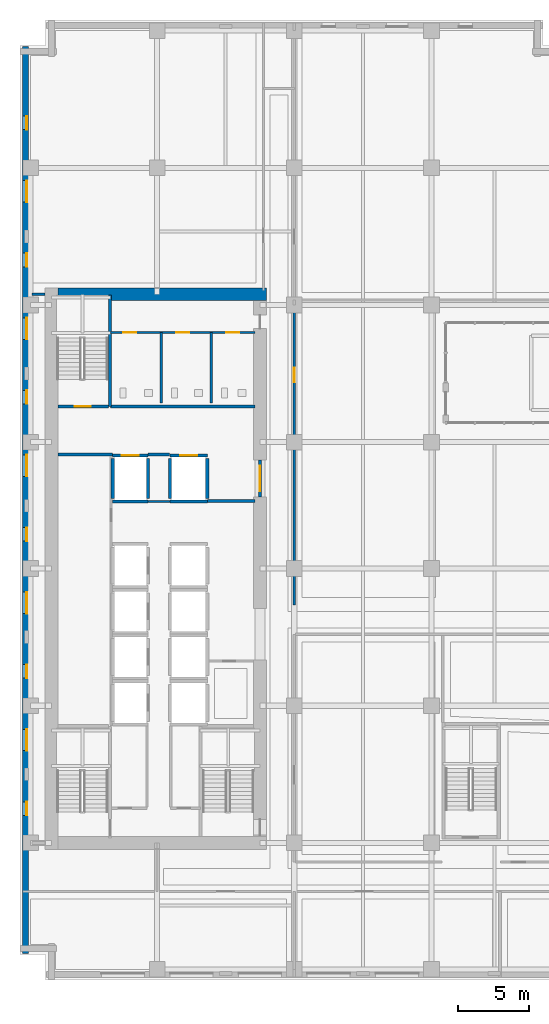
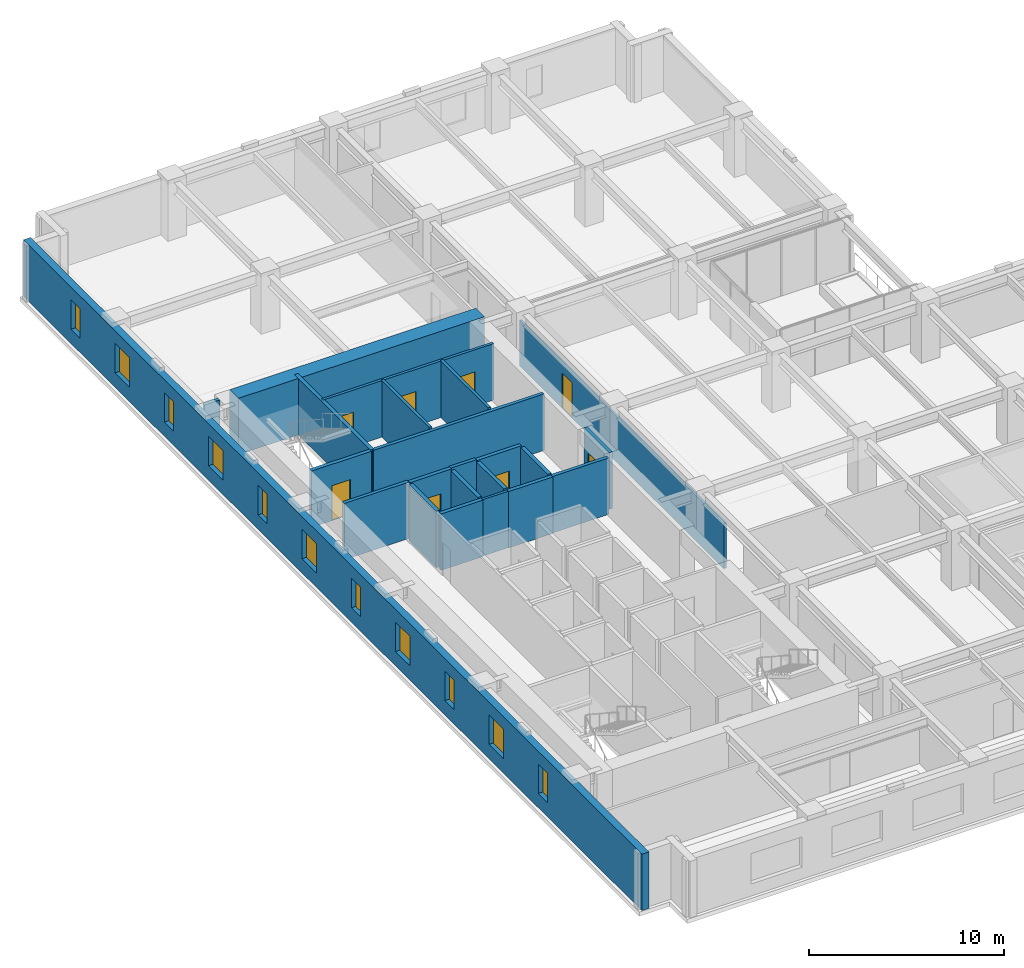
# One storey, part 6 of 16: 23 walls, 11 windows, 8 doors, 19 openings.
"""IFC4 building model written with IfcOpenShell, lengths in metres."""

import ifcopenshell
import ifcopenshell.guid

model = None  # the IFC model being written
_history = None  # IfcOwnerHistory: only IFC2X3 demands one
_inside = {}  # id of a spatial element -> (the spatial element, [elements in it])
_under = {}  # id of a project, library or spatial element -> (it, [spatial elements below it])
_declared = {}  # id of a project -> (the project, [libraries it declares])
_typed = {}  # id of a type object -> (the type object, [elements of that type])
_made_of = {}  # id of a material, layer set ... -> (it, [elements and type objects made of it])


def new_model(schema):
    """Start an empty IFC model of exactly this schema.

    Asked for "IFC4X3", IfcOpenShell would pick the latest addendum, in which some entities
    have other attributes; the version numbers below select the first issue.
    IFC2X3 requires an IfcOwnerHistory on every rooted entity: one is made here for all.
    """
    global model, _history
    if schema == "IFC4X3":
        model = ifcopenshell.file(schema_version=(4, 3, 0, 0))
    else:
        model = ifcopenshell.file(schema=schema)
    _inside.clear()
    _under.clear()
    _declared.clear()
    _typed.clear()
    _made_of.clear()
    _history = None
    if model.schema == "IFC2X3":
        org = make("IfcOrganization", Name="unknown")
        user = make(
            "IfcPersonAndOrganization",
            ThePerson=make("IfcPerson", FamilyName="unknown"),
            TheOrganization=org,
        )
        app = make(
            "IfcApplication",
            ApplicationDeveloper=org,
            Version="unknown",
            ApplicationFullName="unknown",
            ApplicationIdentifier="unknown",
        )
        _history = make(
            "IfcOwnerHistory",
            OwningUser=user,
            OwningApplication=app,
            ChangeAction="ADDED",
            CreationDate=0,
        )
    return model


def make(cls, **values):
    """One entity of the class cls with the attributes given. An attribute that is None is left unset."""
    return model.create_entity(
        cls, **{name: value for name, value in values.items() if value is not None}
    )


def rooted(cls, **values):
    """An entity with a GlobalId (a new one), such as an element, a storey or a relation."""
    return make(cls, GlobalId=ifcopenshell.guid.new(), OwnerHistory=_history, **values)


def si_unit(unit_type, name, prefix=None):
    """IfcSIUnit, for example si_unit("LENGTHUNIT", "METRE", prefix="MILLI")."""
    return make("IfcSIUnit", UnitType=unit_type, Prefix=prefix, Name=name)


def assignment(units):
    """IfcUnitAssignment: the units of a project."""
    return None if units is None else make("IfcUnitAssignment", Units=units)


def point(xyz):
    """IfcCartesianPoint."""
    return None if xyz is None else make("IfcCartesianPoint", Coordinates=xyz)


def direction(xyz):
    """IfcDirection."""
    return None if xyz is None else make("IfcDirection", DirectionRatios=xyz)


def frame(location, z_axis=None, x_axis=None):
    """IfcAxis2Placement3D, a coordinate frame: its origin and axes. An axis left out is left unset."""
    return make(
        "IfcAxis2Placement3D",
        Location=point(location),
        Axis=direction(z_axis),
        RefDirection=direction(x_axis),
    )


def frame_2d(location, x_axis=None):
    """IfcAxis2Placement2D, a coordinate frame in the plane: its origin and x axis."""
    return make(
        "IfcAxis2Placement2D", Location=point(location), RefDirection=direction(x_axis)
    )


def origin():
    """The frame at (0, 0, 0) with its axes left unset."""
    return frame((0.0, 0.0, 0.0))


def place(relative_to, where):
    """IfcLocalPlacement: puts the frame where relative to a parent placement (None: the world)."""
    return make(
        "IfcLocalPlacement", PlacementRelTo=relative_to, RelativePlacement=where
    )


def context(
    kind, dimensions, precision=None, world=None, true_north=None, identifier=None
):
    """IfcGeometricRepresentationContext, for example the 3D "Model" context."""
    return make(
        "IfcGeometricRepresentationContext",
        ContextIdentifier=identifier,
        ContextType=kind,
        CoordinateSpaceDimension=dimensions,
        Precision=precision,
        WorldCoordinateSystem=world,
        TrueNorth=true_north,
    )


def subcontext(parent, identifier, kind, view, scale=None):
    """IfcGeometricRepresentationSubContext, for example "Body" below "Model"."""
    return make(
        "IfcGeometricRepresentationSubContext",
        ContextIdentifier=identifier,
        ContextType=kind,
        ParentContext=parent,
        TargetScale=scale,
        TargetView=view,
    )


def project(units=None, contexts=None):
    """IfcProject with its units and contexts."""
    return rooted(
        "IfcProject",
        Name="project",
        RepresentationContexts=contexts,
        UnitsInContext=assignment(units),
    )


def spatial(cls, under=None, at=None, **own):
    """A site, building, storey or space (cls), placed at a placement, below another one or the project."""
    s = rooted(cls, ObjectPlacement=at, **own)
    if under is not None:
        _under.setdefault(under.id(), (under, []))[1].append(s)
    return s


def profile(cls, at=None, kind="AREA", **sizes):
    """A parametric profile (cls). Its sizes go by their IFC names, for example OverallWidth=200.0."""
    return make(cls, ProfileType=kind, Position=at, **sizes)


def rectangle(**sizes):
    """IfcRectangleProfileDef."""
    return profile("IfcRectangleProfileDef", **sizes)


def extrude(swept, where, along, depth):
    """IfcExtrudedAreaSolid: the profile swept, set in the frame where, extruded along a direction by depth."""
    return make(
        "IfcExtrudedAreaSolid",
        SweptArea=swept,
        Position=where,
        ExtrudedDirection=direction(along),
        Depth=depth,
    )


def shape(context_of_items, identifier, shape_type, items):
    """IfcShapeRepresentation: the items that make up one representation, for example the "Body"."""
    return make(
        "IfcShapeRepresentation",
        ContextOfItems=context_of_items,
        RepresentationIdentifier=identifier,
        RepresentationType=shape_type,
        Items=items,
    )


def material(Name=None, Category=None):
    """IfcMaterial."""
    return make("IfcMaterial", Name=Name, Category=Category)


def layer(
    of_material, thickness, ventilated=None, Name=None, Category=None, Priority=None
):
    """IfcMaterialLayer: one layer of a wall or slab, of a material (None: an air gap)."""
    return make(
        "IfcMaterialLayer",
        Material=of_material,
        LayerThickness=thickness,
        IsVentilated=ventilated,
        Name=Name,
        Category=Category,
        Priority=Priority,
    )


def layer_set(layers, Name=None):
    """IfcMaterialLayerSet."""
    return make("IfcMaterialLayerSet", MaterialLayers=layers, LayerSetName=Name)


def made_of(thing, what):
    """Note that an element or type object is made of a material, layer set ...; save() writes the relation."""
    if what is not None:
        _made_of.setdefault(what.id(), (what, []))[1].append(thing)
    return thing


def type_object(cls, material=None, **own):
    """A type object (cls), such as IfcWallType, which elements share."""
    return made_of(rooted(cls, **own), material)


def element(
    cls,
    number,
    at=None,
    inside=None,
    cuts=None,
    type_object=None,
    material=None,
    context=None,
    identifier="Body",
    shape_type=None,
    held_by="IfcProductDefinitionShape",
    body=None,
    shapes=None,
    **own,
):
    """One element of the class cls, such as IfcWall. Its Tag is "e" and its number.

    at: its placement. inside: the storey or other place that contains it. cuts: it is an
    opening in that element (IfcRelVoidsElement). A single representation is given by context,
    identifier, shape_type and body (its items); several are given by shapes. held_by: the class
    of the entity that holds the representations. save() writes the other relations.
    """
    e = rooted(cls, Tag="e%d" % number, ObjectPlacement=at, **own)
    if body is not None:
        shapes = [shape(context, identifier, shape_type, body)]
    if shapes is not None:
        e.Representation = make(held_by, Representations=shapes)
    if inside is not None:
        _inside.setdefault(inside.id(), (inside, []))[1].append(e)
    if cuts is not None:
        rooted(
            "IfcRelVoidsElement", RelatingBuildingElement=cuts, RelatedOpeningElement=e
        )
    if type_object is not None:
        _typed.setdefault(type_object.id(), (type_object, []))[1].append(e)
    return made_of(e, material)


def fill(opening, filler):
    """IfcRelFillsElement: the door or window that sits in an opening."""
    return rooted(
        "IfcRelFillsElement",
        RelatingOpeningElement=opening,
        RelatedBuildingElement=filler,
    )


def aggregate(whole, parts):
    """IfcRelAggregates: a whole, such as a stair, and the parts it consists of."""
    return rooted("IfcRelAggregates", RelatingObject=whole, RelatedObjects=parts)


def save(model, path):
    """Write the relations noted so far, then the file.

    IfcRelAggregates (storeys below a building ...), IfcRelContainedInSpatialStructure (elements
    in a storey), IfcRelDefinesByType, IfcRelAssociatesMaterial and IfcRelDeclares: one each for
    every whole, place, type object, material and project.
    """
    for whole, parts in _under.values():
        aggregate(whole, parts)
    for where, things in _inside.values():
        rooted(
            "IfcRelContainedInSpatialStructure",
            RelatedElements=things,
            RelatingStructure=where,
        )
    for kind, things in _typed.values():
        rooted("IfcRelDefinesByType", RelatedObjects=things, RelatingType=kind)
    for what, things in _made_of.values():
        rooted("IfcRelAssociatesMaterial", RelatedObjects=things, RelatingMaterial=what)
    for by, libraries in _declared.values():
        rooted("IfcRelDeclares", RelatingContext=by, RelatedDefinitions=libraries)
    model.write(path)


model = new_model("IFC4")

# Units and contexts
model_context = context("Model", 3, precision=1e-05, world=origin(), true_north=direction((0.0, 1.0)))
body_context = subcontext(model_context, "Body", "Model", "MODEL_VIEW")
ifc_project = project(units=[si_unit("LENGTHUNIT", "METRE"), si_unit("AREAUNIT", "SQUARE_METRE"), si_unit("VOLUMEUNIT", "CUBIC_METRE"), si_unit("PLANEANGLEUNIT", "RADIAN"), si_unit("MASSUNIT", "GRAM", prefix="KILO")], contexts=[model_context])

# Site, building, storey
site_placement = place(None, origin())
site = spatial("IfcSite", under=ifc_project, at=site_placement, CompositionType="ELEMENT")
building_placement = place(site_placement, origin())
building = spatial("IfcBuilding", under=site, at=building_placement, Name="Norrvale University Quadrangle", CompositionType="ELEMENT")
storey_placement = place(building_placement, frame((0.0, 0.0, 58.39990234375)))
storey = spatial("IfcBuildingStorey", under=building, at=storey_placement, Name="L14", CompositionType="ELEMENT", Elevation=58.39990234375)

# Wall, openings, windows
ifc_material_1 = material(Name="Buff Norman Clay Brick Masonry", Category="masonry")
ifc_layer_1 = layer(ifc_material_1, 0.419921875, Name="Buff Norman Clay Brick Masonry")
ifc_layer_set_1 = layer_set([ifc_layer_1], Name="Buff Norman Clay Brick Masonry")
wall_type_1 = type_object("IfcWallType", Name="Wall Buff Brick 420", PredefinedType="SOLIDWALL", material=ifc_layer_set_1)
wall_1_placement = place(storey_placement, frame((0.389892578125, 65.360107421875, 0.0), z_axis=(0.0, 0.0, 1.0), x_axis=(0.0, -1.0, 0.0)))
wall_1 = element("IfcWall", 1, at=wall_1_placement, inside=storey, type_object=wall_type_1, Name="Exterior Brick Facade Wall L14-14.1", PredefinedType="SOLIDWALL", context=body_context, shape_type="SweptSolid", body=[
    extrude(rectangle(XDim=63.52001953125, YDim=0.419921875, at=frame_2d((31.760009765625, 0.0))), origin(), (0.0, 0.0, 1.0), 3.5400390625),
])
opening_1_placement = place(wall_1_placement, frame((4.885009765625, 0.0, 0.89990234375)))
opening_1 = element("IfcOpeningElement", 2, at=opening_1_placement, cuts=wall_1, Name="Opening W04", PredefinedType="OPENING", context=body_context, shape_type="SweptSolid", body=[
    extrude(rectangle(XDim=0.949951171875, YDim=1.85009765625, at=frame_2d((0.47509765625, 0.925048828125))), frame((0.0, 0.221923828125, 0.0), z_axis=(0.0, -1.0, 0.0), x_axis=(1.0, 0.0, 0.0)), (0.0, 0.0, 1.0), 0.44384765625),
])
opening_2_placement = place(wall_1_placement, frame((9.409912109375, 0.0, 0.89990234375)))
opening_2 = element("IfcOpeningElement", 3, at=opening_2_placement, cuts=wall_1, Name="Opening W03", PredefinedType="OPENING", context=body_context, shape_type="SweptSolid", body=[
    extrude(rectangle(XDim=1.5, YDim=1.85009765625, at=frame_2d((0.75, 0.925048828125))), frame((0.0, 0.221923828125, 0.0), z_axis=(0.0, -1.0, 0.0), x_axis=(1.0, 0.0, 0.0)), (0.0, 0.0, 1.0), 0.44384765625),
])
opening_3_placement = place(wall_1_placement, frame((14.485107421875, 0.0, 0.89990234375)))
opening_3 = element("IfcOpeningElement", 4, at=opening_3_placement, cuts=wall_1, Name="Opening W04", PredefinedType="OPENING", context=body_context, shape_type="SweptSolid", body=[
    extrude(rectangle(XDim=0.949951171875, YDim=1.85009765625, at=frame_2d((0.47509765625, 0.925048828125))), frame((0.0, 0.221923828125, 0.0), z_axis=(0.0, -1.0, 0.0), x_axis=(1.0, 0.0, 0.0)), (0.0, 0.0, 1.0), 0.44384765625),
])
opening_4_placement = place(wall_1_placement, frame((19.010009765625, 0.0, 0.89990234375)))
opening_4 = element("IfcOpeningElement", 5, at=opening_4_placement, cuts=wall_1, Name="Opening W03", PredefinedType="OPENING", context=body_context, shape_type="SweptSolid", body=[
    extrude(rectangle(XDim=1.5, YDim=1.85009765625, at=frame_2d((0.75, 0.925048828125))), frame((0.0, 0.221923828125, 0.0), z_axis=(0.0, -1.0, 0.0), x_axis=(1.0, 0.0, 0.0)), (0.0, 0.0, 1.0), 0.44384765625),
])
opening_5_placement = place(wall_1_placement, frame((24.0849609375, 0.0, 0.89990234375)))
opening_5 = element("IfcOpeningElement", 6, at=opening_5_placement, cuts=wall_1, Name="Opening W04", PredefinedType="OPENING", context=body_context, shape_type="SweptSolid", body=[
    extrude(rectangle(XDim=0.949951171875, YDim=1.85009765625, at=frame_2d((0.47509765625, 0.925048828125))), frame((0.0, 0.221923828125, 0.0), z_axis=(0.0, -1.0, 0.0), x_axis=(1.0, 0.0, 0.0)), (0.0, 0.0, 1.0), 0.44384765625),
])
opening_6_placement = place(wall_1_placement, frame((28.610107421875, 0.0, 0.89990234375)))
opening_6 = element("IfcOpeningElement", 7, at=opening_6_placement, cuts=wall_1, Name="Opening W03", PredefinedType="OPENING", context=body_context, shape_type="SweptSolid", body=[
    extrude(rectangle(XDim=1.5, YDim=1.85009765625, at=frame_2d((0.75, 0.925048828125))), frame((0.0, 0.221923828125, 0.0), z_axis=(0.0, -1.0, 0.0), x_axis=(1.0, 0.0, 0.0)), (0.0, 0.0, 1.0), 0.44384765625),
])
opening_7_placement = place(wall_1_placement, frame((33.68505859375, 0.0, 0.89990234375)))
opening_7 = element("IfcOpeningElement", 8, at=opening_7_placement, cuts=wall_1, Name="Opening W04", PredefinedType="OPENING", context=body_context, shape_type="SweptSolid", body=[
    extrude(rectangle(XDim=0.949951171875, YDim=1.85009765625, at=frame_2d((0.47509765625, 0.925048828125))), frame((0.0, 0.221923828125, 0.0), z_axis=(0.0, -1.0, 0.0), x_axis=(1.0, 0.0, 0.0)), (0.0, 0.0, 1.0), 0.44384765625),
])
opening_8_placement = place(wall_1_placement, frame((38.2099609375, 0.0, 0.89990234375)))
opening_8 = element("IfcOpeningElement", 9, at=opening_8_placement, cuts=wall_1, Name="Opening W03", PredefinedType="OPENING", context=body_context, shape_type="SweptSolid", body=[
    extrude(rectangle(XDim=1.5, YDim=1.85009765625, at=frame_2d((0.75, 0.925048828125))), frame((0.0, 0.221923828125, 0.0), z_axis=(0.0, -1.0, 0.0), x_axis=(1.0, 0.0, 0.0)), (0.0, 0.0, 1.0), 0.44384765625),
])
opening_9_placement = place(wall_1_placement, frame((43.284912109375, 0.0, 0.89990234375)))
opening_9 = element("IfcOpeningElement", 10, at=opening_9_placement, cuts=wall_1, Name="Opening W04", PredefinedType="OPENING", context=body_context, shape_type="SweptSolid", body=[
    extrude(rectangle(XDim=0.949951171875, YDim=1.85009765625, at=frame_2d((0.47509765625, 0.925048828125))), frame((0.0, 0.221923828125, 0.0), z_axis=(0.0, -1.0, 0.0), x_axis=(1.0, 0.0, 0.0)), (0.0, 0.0, 1.0), 0.44384765625),
])
opening_10_placement = place(wall_1_placement, frame((47.81005859375, 0.0, 0.89990234375)))
opening_10 = element("IfcOpeningElement", 11, at=opening_10_placement, cuts=wall_1, Name="Opening W03", PredefinedType="OPENING", context=body_context, shape_type="SweptSolid", body=[
    extrude(rectangle(XDim=1.5, YDim=1.85009765625, at=frame_2d((0.75, 0.925048828125))), frame((0.0, 0.221923828125, 0.0), z_axis=(0.0, -1.0, 0.0), x_axis=(1.0, 0.0, 0.0)), (0.0, 0.0, 1.0), 0.44384765625),
])
opening_11_placement = place(wall_1_placement, frame((52.885009765625, 0.0, 0.89990234375)))
opening_11 = element("IfcOpeningElement", 12, at=opening_11_placement, cuts=wall_1, Name="Opening W04", PredefinedType="OPENING", context=body_context, shape_type="SweptSolid", body=[
    extrude(rectangle(XDim=0.949951171875, YDim=1.85009765625, at=frame_2d((0.47509765625, 0.925048828125))), frame((0.0, 0.221923828125, 0.0), z_axis=(0.0, -1.0, 0.0), x_axis=(1.0, 0.0, 0.0)), (0.0, 0.0, 1.0), 0.44384765625),
])
ifc_material_2 = material(Name="Triple Low-E Argon Glazing", Category="glass")
window_type_1 = type_object("IfcWindowType", Name="Window Narrow Pier 950x2300", PartitioningType="SINGLE_PANEL", PredefinedType="WINDOW", material=ifc_material_2)
window_1_placement = place(opening_1_placement, origin())
window_1 = element("IfcWindow", 13, at=window_1_placement, inside=storey, type_object=window_type_1, Name="Window Narrow Pier 950x2300 WIN-L14-E14-1-01", OverallHeight=1.85009765625, OverallWidth=0.949951171875, PartitioningType="SINGLE_PANEL", PredefinedType="WINDOW", context=body_context, shape_type="SweptSolid", body=[
    extrude(rectangle(XDim=0.949951171875, YDim=1.85009765625, at=frame_2d((0.47509765625, 0.925048828125))), frame((0.0, 0.110107421875, 0.0), z_axis=(0.0, -1.0, 0.0), x_axis=(1.0, 0.0, 0.0)), (0.0, 0.0, 1.0), 0.06005859375),
])
fill(opening_1, window_1)
window_2_placement = place(opening_3_placement, origin())
window_2 = element("IfcWindow", 14, at=window_2_placement, inside=storey, type_object=window_type_1, Name="Window Narrow Pier 950x2300 WIN-L14-E14-1-03", OverallHeight=1.85009765625, OverallWidth=0.949951171875, PartitioningType="SINGLE_PANEL", PredefinedType="WINDOW", context=body_context, shape_type="SweptSolid", body=[
    extrude(rectangle(XDim=0.949951171875, YDim=1.85009765625, at=frame_2d((0.47509765625, 0.925048828125))), frame((0.0, 0.110107421875, 0.0), z_axis=(0.0, -1.0, 0.0), x_axis=(1.0, 0.0, 0.0)), (0.0, 0.0, 1.0), 0.06005859375),
])
fill(opening_3, window_2)
window_3_placement = place(opening_5_placement, origin())
window_3 = element("IfcWindow", 15, at=window_3_placement, inside=storey, type_object=window_type_1, Name="Window Narrow Pier 950x2300 WIN-L14-E14-1-05", OverallHeight=1.85009765625, OverallWidth=0.949951171875, PartitioningType="SINGLE_PANEL", PredefinedType="WINDOW", context=body_context, shape_type="SweptSolid", body=[
    extrude(rectangle(XDim=0.949951171875, YDim=1.85009765625, at=frame_2d((0.47509765625, 0.925048828125))), frame((0.0, 0.110107421875, 0.0), z_axis=(0.0, -1.0, 0.0), x_axis=(1.0, 0.0, 0.0)), (0.0, 0.0, 1.0), 0.06005859375),
])
fill(opening_5, window_3)
window_4_placement = place(opening_7_placement, origin())
window_4 = element("IfcWindow", 16, at=window_4_placement, inside=storey, type_object=window_type_1, Name="Window Narrow Pier 950x2300 WIN-L14-E14-1-07", OverallHeight=1.85009765625, OverallWidth=0.949951171875, PartitioningType="SINGLE_PANEL", PredefinedType="WINDOW", context=body_context, shape_type="SweptSolid", body=[
    extrude(rectangle(XDim=0.949951171875, YDim=1.85009765625, at=frame_2d((0.47509765625, 0.925048828125))), frame((0.0, 0.110107421875, 0.0), z_axis=(0.0, -1.0, 0.0), x_axis=(1.0, 0.0, 0.0)), (0.0, 0.0, 1.0), 0.06005859375),
])
fill(opening_7, window_4)
window_5_placement = place(opening_9_placement, origin())
window_5 = element("IfcWindow", 17, at=window_5_placement, inside=storey, type_object=window_type_1, Name="Window Narrow Pier 950x2300 WIN-L14-E14-1-09", OverallHeight=1.85009765625, OverallWidth=0.949951171875, PartitioningType="SINGLE_PANEL", PredefinedType="WINDOW", context=body_context, shape_type="SweptSolid", body=[
    extrude(rectangle(XDim=0.949951171875, YDim=1.85009765625, at=frame_2d((0.47509765625, 0.925048828125))), frame((0.0, 0.110107421875, 0.0), z_axis=(0.0, -1.0, 0.0), x_axis=(1.0, 0.0, 0.0)), (0.0, 0.0, 1.0), 0.06005859375),
])
fill(opening_9, window_5)
window_6_placement = place(opening_11_placement, origin())
window_6 = element("IfcWindow", 18, at=window_6_placement, inside=storey, type_object=window_type_1, Name="Window Narrow Pier 950x2300 WIN-L14-E14-1-11", OverallHeight=1.85009765625, OverallWidth=0.949951171875, PartitioningType="SINGLE_PANEL", PredefinedType="WINDOW", context=body_context, shape_type="SweptSolid", body=[
    extrude(rectangle(XDim=0.949951171875, YDim=1.85009765625, at=frame_2d((0.47509765625, 0.925048828125))), frame((0.0, 0.110107421875, 0.0), z_axis=(0.0, -1.0, 0.0), x_axis=(1.0, 0.0, 0.0)), (0.0, 0.0, 1.0), 0.06005859375),
])
fill(opening_11, window_6)
window_type_2 = type_object("IfcWindowType", Name="Window Studio 1500x2300", PartitioningType="DOUBLE_PANEL_VERTICAL", PredefinedType="WINDOW", material=ifc_material_2)
window_7_placement = place(opening_2_placement, origin())
window_7 = element("IfcWindow", 19, at=window_7_placement, inside=storey, type_object=window_type_2, Name="Window Studio 1500x2300 WIN-L14-E14-1-02", OverallHeight=1.85009765625, OverallWidth=1.5, PartitioningType="DOUBLE_PANEL_VERTICAL", PredefinedType="WINDOW", context=body_context, shape_type="SweptSolid", body=[
    extrude(rectangle(XDim=1.5, YDim=1.85009765625, at=frame_2d((0.75, 0.925048828125))), frame((0.0, 0.110107421875, 0.0), z_axis=(0.0, -1.0, 0.0), x_axis=(1.0, 0.0, 0.0)), (0.0, 0.0, 1.0), 0.06005859375),
])
fill(opening_2, window_7)
window_8_placement = place(opening_4_placement, origin())
window_8 = element("IfcWindow", 20, at=window_8_placement, inside=storey, type_object=window_type_2, Name="Window Studio 1500x2300 WIN-L14-E14-1-04", OverallHeight=1.85009765625, OverallWidth=1.5, PartitioningType="DOUBLE_PANEL_VERTICAL", PredefinedType="WINDOW", context=body_context, shape_type="SweptSolid", body=[
    extrude(rectangle(XDim=1.5, YDim=1.85009765625, at=frame_2d((0.75, 0.925048828125))), frame((0.0, 0.110107421875, 0.0), z_axis=(0.0, -1.0, 0.0), x_axis=(1.0, 0.0, 0.0)), (0.0, 0.0, 1.0), 0.06005859375),
])
fill(opening_4, window_8)
window_9_placement = place(opening_6_placement, origin())
window_9 = element("IfcWindow", 21, at=window_9_placement, inside=storey, type_object=window_type_2, Name="Window Studio 1500x2300 WIN-L14-E14-1-06", OverallHeight=1.85009765625, OverallWidth=1.5, PartitioningType="DOUBLE_PANEL_VERTICAL", PredefinedType="WINDOW", context=body_context, shape_type="SweptSolid", body=[
    extrude(rectangle(XDim=1.5, YDim=1.85009765625, at=frame_2d((0.75, 0.925048828125))), frame((0.0, 0.110107421875, 0.0), z_axis=(0.0, -1.0, 0.0), x_axis=(1.0, 0.0, 0.0)), (0.0, 0.0, 1.0), 0.06005859375),
])
fill(opening_6, window_9)
window_10_placement = place(opening_8_placement, origin())
window_10 = element("IfcWindow", 22, at=window_10_placement, inside=storey, type_object=window_type_2, Name="Window Studio 1500x2300 WIN-L14-E14-1-08", OverallHeight=1.85009765625, OverallWidth=1.5, PartitioningType="DOUBLE_PANEL_VERTICAL", PredefinedType="WINDOW", context=body_context, shape_type="SweptSolid", body=[
    extrude(rectangle(XDim=1.5, YDim=1.85009765625, at=frame_2d((0.75, 0.925048828125))), frame((0.0, 0.110107421875, 0.0), z_axis=(0.0, -1.0, 0.0), x_axis=(1.0, 0.0, 0.0)), (0.0, 0.0, 1.0), 0.06005859375),
])
fill(opening_8, window_10)
window_11_placement = place(opening_10_placement, origin())
window_11 = element("IfcWindow", 23, at=window_11_placement, inside=storey, type_object=window_type_2, Name="Window Studio 1500x2300 WIN-L14-E14-1-10", OverallHeight=1.85009765625, OverallWidth=1.5, PartitioningType="DOUBLE_PANEL_VERTICAL", PredefinedType="WINDOW", context=body_context, shape_type="SweptSolid", body=[
    extrude(rectangle(XDim=1.5, YDim=1.85009765625, at=frame_2d((0.75, 0.925048828125))), frame((0.0, 0.110107421875, 0.0), z_axis=(0.0, -1.0, 0.0), x_axis=(1.0, 0.0, 0.0)), (0.0, 0.0, 1.0), 0.06005859375),
])
fill(opening_10, window_11)

# Walls
ifc_material_3 = material(Name="Concrete C80/95", Category="concrete")
ifc_layer_2 = layer(ifc_material_3, 0.89990234375, Name="Concrete C80/95")
ifc_layer_set_2 = layer_set([ifc_layer_2], Name="Concrete C80/95")
wall_type_2 = type_object("IfcWallType", Name="Wall Core 900", PredefinedType="SHEAR", material=ifc_layer_set_2)
wall_2_placement = place(storey_placement, frame((2.64990234375, 48.0, 0.0), z_axis=(0.0, 0.0, 1.0), x_axis=(1.0, 0.0, 0.0)))
element("IfcWall", 24, at=wall_2_placement, inside=storey, type_object=wall_type_2, Name="Tower Core Shear Wall L14-N", PredefinedType="SHEAR", context=body_context, shape_type="SweptSolid", body=[
    extrude(rectangle(XDim=14.60009765625, YDim=0.89990234375, at=frame_2d((7.300048828125, 0.0))), origin(), (0.0, 0.0, 1.0), 3.5400390625),
])
ifc_material_4 = material(Name="Fire-Rated Gypsum Stud Partition")
ifc_layer_3 = layer(ifc_material_4, 0.14990234375, Name="Fire-Rated Gypsum Stud Partition")
ifc_layer_set_3 = layer_set([ifc_layer_3], Name="Fire-Rated Gypsum Stud Partition")
wall_type_3 = type_object("IfcWallType", Name="Wall Gypsum Corridor 150", PredefinedType="PARTITIONING", material=ifc_layer_set_3)
wall_3_placement = place(storey_placement, frame((8.965087890625, 33.489990234375, 0.0), z_axis=(0.0, 0.0, 1.0), x_axis=(1.0, 0.0, 0.0)))
element("IfcWall", 25, at=wall_3_placement, inside=storey, type_object=wall_type_3, Name="Interior Partition WL-L14-LL3", PredefinedType="PARTITIONING", context=body_context, shape_type="SweptSolid", body=[
    extrude(rectangle(XDim=1.52001953125, YDim=0.14990234375, at=frame_2d((0.760009765625, 0.0))), origin(), (0.0, 0.0, 1.0), 3.5400390625),
])

# Wall, opening, door
wall_4_placement = place(storey_placement, frame((19.199951171875, 26.25, 0.0), z_axis=(0.0, 0.0, 1.0), x_axis=(0.0, 1.0, 0.0)))
wall_4 = element("IfcWall", 26, at=wall_4_placement, inside=storey, type_object=wall_type_3, Name="Interior Partition WL-L14-MNECW", PredefinedType="PARTITIONING", context=body_context, shape_type="SweptSolid", body=[
    extrude(rectangle(XDim=21.0, YDim=0.14990234375, at=frame_2d((10.5, 0.0))), origin(), (0.0, 0.0, 1.0), 2.84521484375),
])
opening_12_placement = place(wall_4_placement, frame((15.60009765625, 0.0, 0.0)))
opening_12 = element("IfcOpeningElement", 27, at=opening_12_placement, cuts=wall_4, Name="Opening D04", PredefinedType="OPENING", context=body_context, shape_type="SweptSolid", body=[
    extrude(rectangle(XDim=1.0, YDim=2.199951171875, at=frame_2d((0.5, 1.10009765625))), frame((0.0, 0.0869140625, 0.0), z_axis=(0.0, -1.0, 0.0), x_axis=(1.0, 0.0, 0.0)), (0.0, 0.0, 1.0), 0.173828125),
])
ifc_material_5 = material(Name="Solid-Core Oak Fire Door", Category="wood")
door_type_1 = type_object("IfcDoorType", Name="Door Corridor 1000x2200", OperationType="NOTDEFINED", PredefinedType="DOOR", material=ifc_material_5)
door_1_placement = place(opening_12_placement, origin())
door_1 = element("IfcDoor", 28, at=door_1_placement, inside=storey, type_object=door_type_1, Name="Door Corridor 1000x2200 DR-L14-MNE01", OperationType="SINGLE_SWING_RIGHT", OverallHeight=2.199951171875, OverallWidth=1.0, PredefinedType="DOOR", context=body_context, shape_type="SweptSolid", body=[
    extrude(rectangle(XDim=1.0, YDim=2.199951171875, at=frame_2d((0.5, 1.10009765625))), frame((0.0, 0.02490234375, 0.0), z_axis=(0.0, -1.0, 0.0), x_axis=(1.0, 0.0, 0.0)), (0.0, 0.0, 1.0), 0.050048828125),
])
fill(opening_12, door_1)

# Wall, openings, doors
ifc_material_6 = material(Name="Sanitary Chase Gypsum Partition")
ifc_layer_4 = layer(ifc_material_6, 0.1650390625, Name="Sanitary Chase Gypsum Partition")
ifc_layer_set_4 = layer_set([ifc_layer_4], Name="Sanitary Chase Gypsum Partition")
wall_type_4 = type_object("IfcWallType", Name="Wall Gypsum Sanitary 165", PredefinedType="PLUMBINGWALL", material=ifc_layer_set_4)
wall_5_placement = place(storey_placement, frame((6.320068359375, 45.320068359375, 0.0), z_axis=(0.0, 0.0, 1.0), x_axis=(1.0, 0.0, 0.0)))
wall_5 = element("IfcWall", 29, at=wall_5_placement, inside=storey, type_object=wall_type_4, Name="Interior Partition WL-L14-WCN", PredefinedType="PLUMBINGWALL", context=body_context, shape_type="SweptSolid", body=[
    extrude(rectangle(XDim=10.1298828125, YDim=0.1650390625, at=frame_2d((5.06494140625, 0.0))), origin(), (0.0, 0.0, 1.0), 3.5400390625),
])
opening_13_placement = place(wall_5_placement, frame((0.89990234375, 0.0, 0.0)))
opening_13 = element("IfcOpeningElement", 30, at=opening_13_placement, cuts=wall_5, Name="Opening D08", PredefinedType="OPENING", context=body_context, shape_type="SweptSolid", body=[
    extrude(rectangle(XDim=0.919921875, YDim=2.14990234375, at=frame_2d((0.4599609375, 1.074951171875))), frame((0.0, 0.094482421875, 0.0), z_axis=(0.0, -1.0, 0.0), x_axis=(1.0, 0.0, 0.0)), (0.0, 0.0, 1.0), 0.18896484375),
])
opening_14_placement = place(wall_5_placement, frame((4.60009765625, 0.0, 0.0)))
opening_14 = element("IfcOpeningElement", 31, at=opening_14_placement, cuts=wall_5, Name="Opening D08", PredefinedType="OPENING", context=body_context, shape_type="SweptSolid", body=[
    extrude(rectangle(XDim=0.919921875, YDim=2.14990234375, at=frame_2d((0.4599609375, 1.074951171875))), frame((0.0, 0.094482421875, 0.0), z_axis=(0.0, -1.0, 0.0), x_axis=(1.0, 0.0, 0.0)), (0.0, 0.0, 1.0), 0.18896484375),
])
opening_15_placement = place(wall_5_placement, frame((8.10009765625, 0.0, 0.0)))
opening_15 = element("IfcOpeningElement", 32, at=opening_15_placement, cuts=wall_5, Name="Opening D08", PredefinedType="OPENING", context=body_context, shape_type="SweptSolid", body=[
    extrude(rectangle(XDim=0.919921875, YDim=2.14990234375, at=frame_2d((0.4599609375, 1.074951171875))), frame((0.0, 0.094482421875, 0.0), z_axis=(0.0, -1.0, 0.0), x_axis=(1.0, 0.0, 0.0)), (0.0, 0.0, 1.0), 0.18896484375),
])
ifc_material_7 = material(Name="Laminate Washroom Door", Category="wood")
door_type_2 = type_object("IfcDoorType", Name="Door Washroom 920x2150", OperationType="NOTDEFINED", PredefinedType="DOOR", material=ifc_material_7)
door_2_placement = place(opening_13_placement, origin())
door_2 = element("IfcDoor", 33, at=door_2_placement, inside=storey, type_object=door_type_2, Name="Door Washroom 920x2150 DR-L14-WC1", OperationType="SINGLE_SWING_LEFT", OverallHeight=2.14990234375, OverallWidth=0.919921875, PredefinedType="DOOR", context=body_context, shape_type="SweptSolid", body=[
    extrude(rectangle(XDim=0.919921875, YDim=2.14990234375, at=frame_2d((0.4599609375, 1.074951171875))), frame((0.0, 0.02490234375, 0.0), z_axis=(0.0, -1.0, 0.0), x_axis=(1.0, 0.0, 0.0)), (0.0, 0.0, 1.0), 0.050048828125),
])
fill(opening_13, door_2)
door_3_placement = place(opening_14_placement, origin())
door_3 = element("IfcDoor", 34, at=door_3_placement, inside=storey, type_object=door_type_2, Name="Door Washroom 920x2150 DR-L14-WC2", OperationType="SINGLE_SWING_RIGHT", OverallHeight=2.14990234375, OverallWidth=0.919921875, PredefinedType="DOOR", context=body_context, shape_type="SweptSolid", body=[
    extrude(rectangle(XDim=0.919921875, YDim=2.14990234375, at=frame_2d((0.4599609375, 1.074951171875))), frame((0.0, 0.02490234375, 0.0), z_axis=(0.0, -1.0, 0.0), x_axis=(1.0, 0.0, 0.0)), (0.0, 0.0, 1.0), 0.050048828125),
])
fill(opening_14, door_3)
door_4_placement = place(opening_15_placement, origin())
door_4 = element("IfcDoor", 35, at=door_4_placement, inside=storey, type_object=door_type_2, Name="Door Washroom 920x2150 DR-L14-WC3", OperationType="SINGLE_SWING_LEFT", OverallHeight=2.14990234375, OverallWidth=0.919921875, PredefinedType="DOOR", context=body_context, shape_type="SweptSolid", body=[
    extrude(rectangle(XDim=0.919921875, YDim=2.14990234375, at=frame_2d((0.4599609375, 1.074951171875))), frame((0.0, 0.02490234375, 0.0), z_axis=(0.0, -1.0, 0.0), x_axis=(1.0, 0.0, 0.0)), (0.0, 0.0, 1.0), 0.050048828125),
])
fill(opening_15, door_4)

# Walls
for number, where, z_axis, x_axis, name in (
    (36, (9.89990234375, 40.39990234375, 0.0), (0.0, 0.0, 1.0), (0.0, 1.0, 0.0), "Interior Partition WL-L14-WCM1"),
    (37, (13.39990234375, 40.39990234375, 0.0), (0.0, 0.0, 1.0), (0.0, 1.0, 0.0), "Interior Partition WL-L14-WCM2"),
):
    element("IfcWall", number, at=place(storey_placement, frame(where, z_axis=z_axis, x_axis=x_axis)), inside=storey, type_object=wall_type_4, Name=name, PredefinedType="PLUMBINGWALL", context=body_context, shape_type="SweptSolid", body=[
        extrude(rectangle(XDim=4.920166015625, YDim=0.1650390625, at=frame_2d((2.4599609375, 0.0))), origin(), (0.0, 0.0, 1.0), 3.5400390625),
    ])
ifc_material_8 = material(Name="Concrete Blockwork 20 MPa Rated Wall", Category="masonry")
ifc_layer_5 = layer(ifc_material_8, 0.199951171875, Name="Concrete Blockwork 20 MPa Rated Wall")
ifc_layer_set_5 = layer_set([ifc_layer_5], Name="Concrete Blockwork 20 MPa Rated Wall")
wall_type_5 = type_object("IfcWallType", Name="Wall Lobby 200", PredefinedType="SOLIDWALL", material=ifc_layer_set_5)
wall_6_placement = place(storey_placement, frame((2.64990234375, 36.780029296875, 0.0), z_axis=(0.0, 0.0, 1.0), x_axis=(1.0, 0.0, 0.0)))
element("IfcWall", 38, at=wall_6_placement, inside=storey, type_object=wall_type_5, Name="Interior Partition WL-L14-FF1", PredefinedType="SOLIDWALL", context=body_context, shape_type="SweptSolid", body=[
    extrude(rectangle(XDim=3.830078125, YDim=0.199951171875, at=frame_2d((1.9150390625, 0.0))), origin(), (0.0, 0.0, 1.0), 3.5400390625),
])
wall_7_placement = place(storey_placement, frame((8.969970703125, 36.780029296875, 0.0), z_axis=(0.0, 0.0, 1.0), x_axis=(1.0, 0.0, 0.0)))
element("IfcWall", 39, at=wall_7_placement, inside=storey, type_object=wall_type_5, Name="Interior Partition WL-L14-FF2", PredefinedType="SOLIDWALL", context=body_context, shape_type="SweptSolid", body=[
    extrude(rectangle(XDim=1.510009765625, YDim=0.199951171875, at=frame_2d((0.7548828125, 0.0))), origin(), (0.0, 0.0, 1.0), 3.5400390625),
])
wall_8_placement = place(storey_placement, frame((13.1201171875, 33.52001953125, 0.0), z_axis=(0.0, 0.0, 1.0), x_axis=(1.0, 0.0, 0.0)))
element("IfcWall", 40, at=wall_8_placement, inside=storey, type_object=wall_type_5, Name="Interior Partition WL-L14-FF3", PredefinedType="SOLIDWALL", context=body_context, shape_type="SweptSolid", body=[
    extrude(rectangle(XDim=3.329833984375, YDim=0.199951171875, at=frame_2d((1.6650390625, 0.0))), origin(), (0.0, 0.0, 1.0), 3.5400390625),
])
wall_9_placement = place(storey_placement, frame((6.320068359375, 40.139892578125, 0.0), z_axis=(0.0, 0.0, 1.0), x_axis=(1.0, 0.0, 0.0)))
element("IfcWall", 41, at=wall_9_placement, inside=storey, type_object=wall_type_5, Name="Interior Partition WL-L14-FF4", PredefinedType="SOLIDWALL", context=body_context, shape_type="SweptSolid", body=[
    extrude(rectangle(XDim=10.1298828125, YDim=0.199951171875, at=frame_2d((5.06494140625, 0.0))), origin(), (0.0, 0.0, 1.0), 3.5400390625),
])

# Wall, opening, door
wall_10_placement = place(storey_placement, frame((16.800048828125, 33.800048828125, 0.0), z_axis=(0.0, 0.0, 1.0), x_axis=(0.0, 1.0, 0.0)))
wall_10 = element("IfcWall", 42, at=wall_10_placement, inside=storey, type_object=wall_type_5, Name="Interior Partition WL-L14-FFP", PredefinedType="SOLIDWALL", context=body_context, shape_type="SweptSolid", body=[
    extrude(rectangle(XDim=2.599853515625, YDim=0.199951171875, at=frame_2d((1.2998046875, 0.0))), origin(), (0.0, 0.0, 1.0), 3.5400390625),
])
opening_16_placement = place(wall_10_placement, frame((0.39990234375, 0.0, 0.0)))
opening_16 = element("IfcOpeningElement", 43, at=opening_16_placement, cuts=wall_10, Name="Opening D03", PredefinedType="OPENING", context=body_context, shape_type="SweptSolid", body=[
    extrude(rectangle(XDim=1.800048828125, YDim=2.199951171875, at=frame_2d((0.89990234375, 1.10009765625))), frame((0.0, 0.112060546875, 0.0), z_axis=(0.0, -1.0, 0.0), x_axis=(1.0, 0.0, 0.0)), (0.0, 0.0, 1.0), 0.223876953125),
])
ifc_material_9 = material(Name="Hollow Steel 350W Fire Door", Category="steel")
door_type_3 = type_object("IfcDoorType", Name="Door Fire Lobby 1800x2200", OperationType="DOUBLE_DOOR_SINGLE_SWING", PredefinedType="DOOR", material=ifc_material_9)
door_5_placement = place(opening_16_placement, origin())
door_5 = element("IfcDoor", 44, at=door_5_placement, inside=storey, type_object=door_type_3, Name="Door Fire Lobby 1800x2200 DR-L14-FFP", OperationType="DOUBLE_DOOR_SINGLE_SWING", OverallHeight=2.199951171875, OverallWidth=1.800048828125, PredefinedType="DOOR", context=body_context, shape_type="SweptSolid", body=[
    extrude(rectangle(XDim=1.800048828125, YDim=2.199951171875, at=frame_2d((0.89990234375, 1.10009765625))), frame((0.0, 0.02490234375, 0.0), z_axis=(0.0, -1.0, 0.0), x_axis=(1.0, 0.0, 0.0)), (0.0, 0.0, 1.0), 0.050048828125),
])
fill(opening_16, door_5)

# Wall
wall_11_placement = place(storey_placement, frame((0.85009765625, 48.0, 0.0), z_axis=(0.0, 0.0, 1.0), x_axis=(1.0, 0.0, 0.0)))
element("IfcWall", 45, at=wall_11_placement, inside=storey, type_object=wall_type_5, Name="Interior Partition WL-L14-CWRET-N", PredefinedType="SOLIDWALL", context=body_context, shape_type="SweptSolid", body=[
    extrude(rectangle(XDim=0.89501953125, YDim=0.199951171875, at=frame_2d((0.447509765625, 0.0))), origin(), (0.0, 0.0, 1.0), 3.5400390625),
])

# Wall, opening, door
ifc_material_10 = material(Name="Concrete Blockwork 20 MPa Fire Shaft", Category="masonry")
ifc_layer_6 = layer(ifc_material_10, 0.219970703125, Name="Concrete Blockwork 20 MPa Fire Shaft")
ifc_layer_set_6 = layer_set([ifc_layer_6], Name="Concrete Blockwork 20 MPa Fire Shaft")
wall_type_6 = type_object("IfcWallType", Name="Wall Shaft 220", PredefinedType="SOLIDWALL", material=ifc_layer_set_6)
wall_12_placement = place(storey_placement, frame((2.64990234375, 40.139892578125, 0.0), z_axis=(0.0, 0.0, 1.0), x_axis=(1.0, 0.0, 0.0)))
wall_12 = element("IfcWall", 46, at=wall_12_placement, inside=storey, type_object=wall_type_6, Name="Stair ST-02 South Shaft Wall L14", PredefinedType="SOLIDWALL", context=body_context, shape_type="SweptSolid", body=[
    extrude(rectangle(XDim=3.550048828125, YDim=0.219970703125, at=frame_2d((1.77490234375, 0.0))), origin(), (0.0, 0.0, 1.0), 3.5400390625),
])
opening_17_placement = place(wall_12_placement, frame((1.199951171875, 0.0, 0.0)))
opening_17 = element("IfcOpeningElement", 47, at=opening_17_placement, cuts=wall_12, Name="Opening D02", PredefinedType="OPENING", context=body_context, shape_type="SweptSolid", body=[
    extrude(rectangle(XDim=1.10009765625, YDim=2.199951171875, at=frame_2d((0.550048828125, 1.10009765625))), frame((0.0, 0.1220703125, 0.0), z_axis=(0.0, -1.0, 0.0), x_axis=(1.0, 0.0, 0.0)), (0.0, 0.0, 1.0), 0.243896484375),
])
door_type_4 = type_object("IfcDoorType", Name="Door Stair Exit 1100x2200", OperationType="NOTDEFINED", PredefinedType="DOOR", material=ifc_material_9)
door_6_placement = place(opening_17_placement, origin())
door_6 = element("IfcDoor", 48, at=door_6_placement, inside=storey, type_object=door_type_4, Name="Door Stair Exit 1100x2200 DR-L14-ST02", OperationType="SINGLE_SWING_LEFT", OverallHeight=2.199951171875, OverallWidth=1.10009765625, PredefinedType="DOOR", context=body_context, shape_type="SweptSolid", body=[
    extrude(rectangle(XDim=1.10009765625, YDim=2.199951171875, at=frame_2d((0.550048828125, 1.10009765625))), frame((0.0, 0.02490234375, 0.0), z_axis=(0.0, -1.0, 0.0), x_axis=(1.0, 0.0, 0.0)), (0.0, 0.0, 1.0), 0.050048828125),
])
fill(opening_17, door_6)

# Walls
wall_13_placement = place(storey_placement, frame((6.31005859375, 40.139892578125, 0.0), z_axis=(0.0, 0.0, 1.0), x_axis=(0.0, 1.0, 0.0)))
element("IfcWall", 49, at=wall_13_placement, inside=storey, type_object=wall_type_6, Name="Stair ST-02 East Shaft Wall L14", PredefinedType="SOLIDWALL", context=body_context, shape_type="SweptSolid", body=[
    extrude(rectangle(XDim=7.81005859375, YDim=0.219970703125, at=frame_2d((3.905029296875, 0.0))), origin(), (0.0, 0.0, 1.0), 3.5400390625),
])
for number, where, z_axis, x_axis, name in (
    (50, (6.489990234375, 33.7099609375, 0.0), (0.0, 0.0, 1.0), (0.0, 1.0, 0.0), "Hoistway FFL-01 West Wall L14"),
    (51, (8.9599609375, 33.7099609375, 0.0), (0.0, 0.0, 1.0), (0.0, 1.0, 0.0), "Hoistway FFL-01 East Wall L14"),
):
    element("IfcWall", number, at=place(storey_placement, frame(where, z_axis=z_axis, x_axis=x_axis)), inside=storey, type_object=wall_type_6, Name=name, PredefinedType="SOLIDWALL", context=body_context, shape_type="SweptSolid", body=[
        extrude(rectangle(XDim=2.780029296875, YDim=0.219970703125, at=frame_2d((1.39013671875, 0.0))), origin(), (0.0, 0.0, 1.0), 3.5400390625),
    ])
wall_14_placement = place(storey_placement, frame((6.489990234375, 33.489990234375, 0.0), z_axis=(0.0, 0.0, 1.0), x_axis=(1.0, 0.0, 0.0)))
element("IfcWall", 52, at=wall_14_placement, inside=storey, type_object=wall_type_6, Name="Hoistway FFL-01 South Wall L14", PredefinedType="SOLIDWALL", context=body_context, shape_type="SweptSolid", body=[
    extrude(rectangle(XDim=2.469970703125, YDim=0.219970703125, at=frame_2d((1.23486328125, 0.0))), origin(), (0.0, 0.0, 1.0), 3.5400390625),
])

# Wall, opening, door
wall_15_placement = place(storey_placement, frame((6.489990234375, 36.7099609375, 0.0), z_axis=(0.0, 0.0, 1.0), x_axis=(1.0, 0.0, 0.0)))
wall_15 = element("IfcWall", 53, at=wall_15_placement, inside=storey, type_object=wall_type_6, Name="Hoistway FFL-01 North Wall L14", PredefinedType="SOLIDWALL", context=body_context, shape_type="SweptSolid", body=[
    extrude(rectangle(XDim=2.469970703125, YDim=0.219970703125, at=frame_2d((1.23486328125, 0.0))), origin(), (0.0, 0.0, 1.0), 3.5400390625),
])
opening_18_placement = place(wall_15_placement, frame((0.635009765625, 0.0, 0.0)))
opening_18 = element("IfcOpeningElement", 54, at=opening_18_placement, cuts=wall_15, Name="Opening LD2", PredefinedType="OPENING", context=body_context, shape_type="SweptSolid", body=[
    extrude(rectangle(XDim=1.199951171875, YDim=2.199951171875, at=frame_2d((0.60009765625, 1.10009765625))), frame((0.0, 0.1220703125, 0.0), z_axis=(0.0, -1.0, 0.0), x_axis=(1.0, 0.0, 0.0)), (0.0, 0.0, 1.0), 0.243896484375),
])
ifc_material_11 = material(Name="Stainless Steel 316L Firefighter Lift Door", Category="steel")
door_type_5 = type_object("IfcDoorType", Name="Door Fire Lift 1200x2200", OperationType="DOUBLE_DOOR_SLIDING", PredefinedType="DOOR", material=ifc_material_11)
door_7_placement = place(opening_18_placement, origin())
door_7 = element("IfcDoor", 55, at=door_7_placement, inside=storey, type_object=door_type_5, Name="Elevator Landing Door DR-L14-FFL-01", OperationType="DOUBLE_DOOR_SLIDING", OverallHeight=2.199951171875, OverallWidth=1.199951171875, PredefinedType="DOOR", context=body_context, shape_type="SweptSolid", body=[
    extrude(rectangle(XDim=1.199951171875, YDim=2.199951171875, at=frame_2d((0.60009765625, 1.10009765625))), frame((0.0, 0.02490234375, 0.0), z_axis=(0.0, -1.0, 0.0), x_axis=(1.0, 0.0, 0.0)), (0.0, 0.0, 1.0), 0.050048828125),
])
fill(opening_18, door_7)

# Walls
for number, where, z_axis, x_axis, name in (
    (56, (10.489990234375, 33.7099609375, 0.0), (0.0, 0.0, 1.0), (0.0, 1.0, 0.0), "Hoistway FFL-02 West Wall L14"),
    (57, (13.110107421875, 33.7099609375, 0.0), (0.0, 0.0, 1.0), (0.0, 1.0, 0.0), "Hoistway FFL-02 East Wall L14"),
):
    element("IfcWall", number, at=place(storey_placement, frame(where, z_axis=z_axis, x_axis=x_axis)), inside=storey, type_object=wall_type_6, Name=name, PredefinedType="SOLIDWALL", context=body_context, shape_type="SweptSolid", body=[
        extrude(rectangle(XDim=2.780029296875, YDim=0.219970703125, at=frame_2d((1.39013671875, 0.0))), origin(), (0.0, 0.0, 1.0), 3.5400390625),
    ])
wall_16_placement = place(storey_placement, frame((10.489990234375, 33.489990234375, 0.0), z_axis=(0.0, 0.0, 1.0), x_axis=(1.0, 0.0, 0.0)))
element("IfcWall", 58, at=wall_16_placement, inside=storey, type_object=wall_type_6, Name="Hoistway FFL-02 South Wall L14", PredefinedType="SOLIDWALL", context=body_context, shape_type="SweptSolid", body=[
    extrude(rectangle(XDim=2.6201171875, YDim=0.219970703125, at=frame_2d((1.31005859375, 0.0))), origin(), (0.0, 0.0, 1.0), 3.5400390625),
])

# Wall, opening, door
wall_17_placement = place(storey_placement, frame((10.489990234375, 36.7099609375, 0.0), z_axis=(0.0, 0.0, 1.0), x_axis=(1.0, 0.0, 0.0)))
wall_17 = element("IfcWall", 59, at=wall_17_placement, inside=storey, type_object=wall_type_6, Name="Hoistway FFL-02 North Wall L14", PredefinedType="SOLIDWALL", context=body_context, shape_type="SweptSolid", body=[
    extrude(rectangle(XDim=2.6201171875, YDim=0.219970703125, at=frame_2d((1.31005859375, 0.0))), origin(), (0.0, 0.0, 1.0), 3.5400390625),
])
opening_19_placement = place(wall_17_placement, frame((0.7099609375, 0.0, 0.0)))
opening_19 = element("IfcOpeningElement", 60, at=opening_19_placement, cuts=wall_17, Name="Opening LD2", PredefinedType="OPENING", context=body_context, shape_type="SweptSolid", body=[
    extrude(rectangle(XDim=1.199951171875, YDim=2.199951171875, at=frame_2d((0.60009765625, 1.10009765625))), frame((0.0, 0.1220703125, 0.0), z_axis=(0.0, -1.0, 0.0), x_axis=(1.0, 0.0, 0.0)), (0.0, 0.0, 1.0), 0.243896484375),
])
door_8_placement = place(opening_19_placement, origin())
door_8 = element("IfcDoor", 61, at=door_8_placement, inside=storey, type_object=door_type_5, Name="Elevator Landing Door DR-L14-FFL-02", OperationType="DOUBLE_DOOR_SLIDING", OverallHeight=2.199951171875, OverallWidth=1.199951171875, PredefinedType="DOOR", context=body_context, shape_type="SweptSolid", body=[
    extrude(rectangle(XDim=1.199951171875, YDim=2.199951171875, at=frame_2d((0.60009765625, 1.10009765625))), frame((0.0, 0.02490234375, 0.0), z_axis=(0.0, -1.0, 0.0), x_axis=(1.0, 0.0, 0.0)), (0.0, 0.0, 1.0), 0.050048828125),
])
fill(opening_19, door_8)

save(model, "model.ifc")
